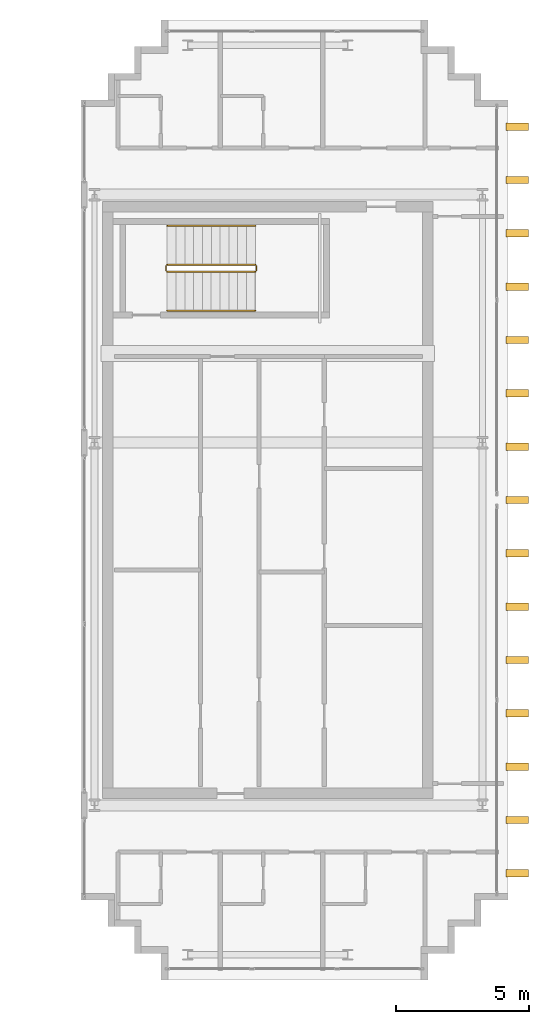
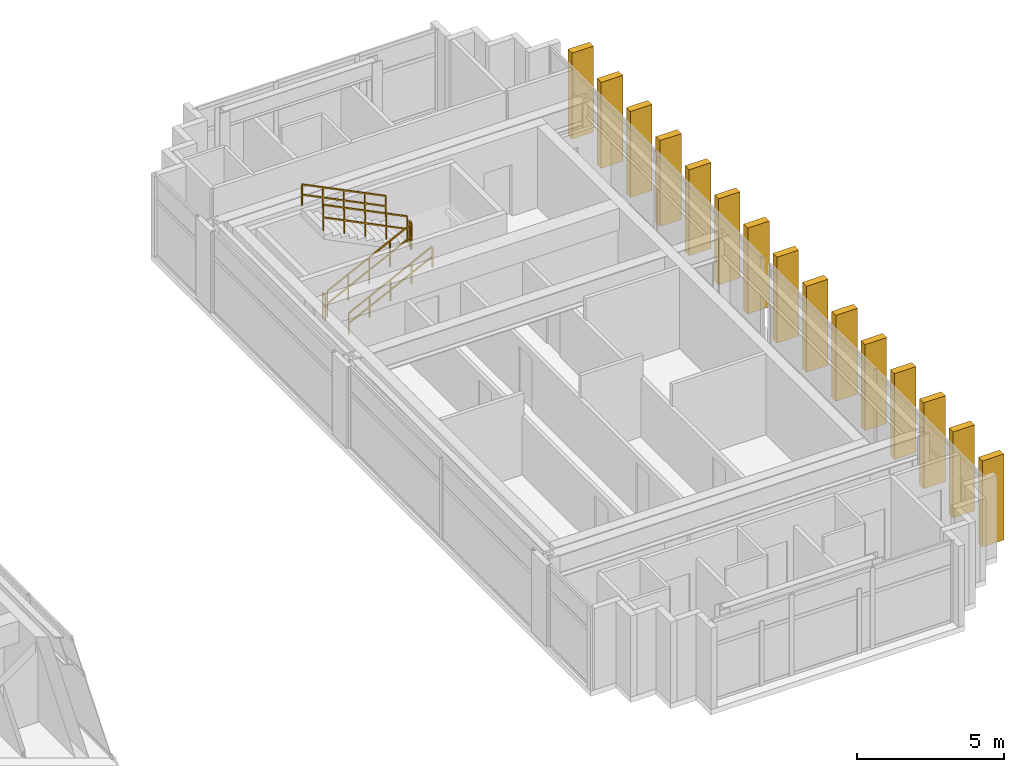
# One storey, part 25 of 25: 15 shading devices, 6 railings.
"""IFC4 building model written with IfcOpenShell, lengths in metres."""

from ifc_helpers import new_model, si_unit, direction, frame, origin, origin_2d, place, context, subcontext, project, spatial, rectangle, extrude, source, transform, mapped, material, type_object, element, save


model = new_model("IFC4")

# Units and contexts
model_context = context("Model", 3, precision=1e-05, world=origin(), true_north=direction((0.0, 1.0)))
body_context = subcontext(model_context, "Body", "Model", "MODEL_VIEW")
ifc_project = project(units=[si_unit("LENGTHUNIT", "METRE"), si_unit("AREAUNIT", "SQUARE_METRE"), si_unit("VOLUMEUNIT", "CUBIC_METRE"), si_unit("PLANEANGLEUNIT", "RADIAN"), si_unit("MASSUNIT", "GRAM", prefix="KILO")], contexts=[model_context])

# Site, building, storey
site_placement = place(None, origin())
site = spatial("IfcSite", under=ifc_project, at=site_placement, CompositionType="ELEMENT")
building_placement = place(site_placement, origin())
building = spatial("IfcBuilding", under=site, at=building_placement, Name="Ocotamira Hotel", CompositionType="ELEMENT")
storey_placement = place(building_placement, frame((0.0, 0.0, 265.199951171875)))
storey = spatial("IfcBuildingStorey", under=building, at=storey_placement, Name="L67", CompositionType="ELEMENT", Elevation=265.199951171875)

# Railings
ifc_material_1 = material(Name="Brushed stainless steel handrail", Category="steel")
railing_type_1 = type_object("IfcRailingType", Name="RL-HAND-900", PredefinedType="HANDRAIL", material=ifc_material_1)
railing_1_placement = place(storey_placement, frame((43.22998046875, 33.10009765625, 0.327392578125)))
element("IfcRailing", 1, at=railing_1_placement, inside=storey, type_object=railing_type_1, Name="L67 ST-4 stair handrail 1", PredefinedType="HANDRAIL", context=body_context, shape_type="SweptSolid", body=[
    extrude(rectangle(XDim=0.048095703125, YDim=0.048095703125, at=origin_2d()), frame((0.0, 0.0, 0.8759765625), z_axis=(0.895920123917, 0.0, 0.444215186098), x_axis=(0.0, 1.0, 0.0)), (0.0, 0.0, 1.0), 3.683349609375),
    extrude(rectangle(XDim=0.048095703125, YDim=0.048095703125, at=origin_2d()), frame((0.0, 0.0, 0.449951171875), z_axis=(0.895920123917, 0.0, 0.444215186098), x_axis=(0.0, 1.0, 0.0)), (0.0, 0.0, 1.0), 3.683349609375),
    extrude(rectangle(XDim=0.0419921875, YDim=0.0419921875, at=origin_2d()), origin(), (0.0, 0.0, 1.0), 0.851806640625),
    extrude(rectangle(XDim=0.0419921875, YDim=0.0419921875, at=origin_2d()), frame((0.824951171875, 0.0, 0.4091796875)), (0.0, 0.0, 1.0), 0.851806640625),
    extrude(rectangle(XDim=0.0419921875, YDim=0.0419921875, at=origin_2d()), frame((1.64990234375, 0.0, 0.818115234375)), (0.0, 0.0, 1.0), 0.851806640625),
    extrude(rectangle(XDim=0.0419921875, YDim=0.0419921875, at=origin_2d()), frame((2.47509765625, 0.0, 1.22705078125)), (0.0, 0.0, 1.0), 0.851806640625),
    extrude(rectangle(XDim=0.0419921875, YDim=0.0419921875, at=origin_2d()), frame((3.300048828125, 0.0, 1.63623046875)), (0.0, 0.0, 1.0), 0.851806640625),
])
railing_2_placement = place(storey_placement, frame((46.530029296875, 36.280029296875, 2.12744140625)))
element("IfcRailing", 2, at=railing_2_placement, inside=storey, type_object=railing_type_1, Name="L67 ST-4 stair handrail 2", PredefinedType="HANDRAIL", context=body_context, shape_type="SweptSolid", body=[
    extrude(rectangle(XDim=0.048095703125, YDim=0.048095703125, at=origin_2d()), frame((0.0, 0.0, 0.8759765625), z_axis=(-0.895920123917, 0.0, 0.444215186098), x_axis=(0.0, -1.0, 0.0)), (0.0, 0.0, 1.0), 3.683349609375),
    extrude(rectangle(XDim=0.048095703125, YDim=0.048095703125, at=origin_2d()), frame((0.0, 0.0, 0.449951171875), z_axis=(-0.895920123917, 0.0, 0.444215186098), x_axis=(0.0, -1.0, 0.0)), (0.0, 0.0, 1.0), 3.683349609375),
    extrude(rectangle(XDim=0.0419921875, YDim=0.0419921875, at=origin_2d()), origin(), (0.0, 0.0, 1.0), 0.851806640625),
    extrude(rectangle(XDim=0.0419921875, YDim=0.0419921875, at=origin_2d()), frame((-0.824951171875, 0.0, 0.4091796875)), (0.0, 0.0, 1.0), 0.851806640625),
    extrude(rectangle(XDim=0.0419921875, YDim=0.0419921875, at=origin_2d()), frame((-1.64990234375, 0.0, 0.818115234375)), (0.0, 0.0, 1.0), 0.851806640625),
    extrude(rectangle(XDim=0.0419921875, YDim=0.0419921875, at=origin_2d()), frame((-2.47509765625, 0.0, 1.22705078125)), (0.0, 0.0, 1.0), 0.851806640625),
    extrude(rectangle(XDim=0.0419921875, YDim=0.0419921875, at=origin_2d()), frame((-3.300048828125, 0.0, 1.63623046875)), (0.0, 0.0, 1.0), 0.851806640625),
])
ifc_material_2 = material(Name="Painted steel stair guardrail", Category="steel")
railing_type_2 = type_object("IfcRailingType", Name="RL-STAIR-1100", PredefinedType="GUARDRAIL", material=ifc_material_2)
railing_3_placement = place(storey_placement, frame((43.22998046875, 34.56005859375, 0.16357421875)))
element("IfcRailing", 3, at=railing_3_placement, inside=storey, type_object=railing_type_2, Name="L67 ST-4 stair guard 1", PredefinedType="GUARDRAIL", context=body_context, shape_type="SweptSolid", body=[
    extrude(rectangle(XDim=0.048095703125, YDim=0.048095703125, at=origin_2d()), frame((0.0, 0.0, 1.076171875), z_axis=(0.895893744519, 0.0, 0.4442683857), x_axis=(0.0, 1.0, 0.0)), (0.0, 0.0, 1.0), 3.68359375),
    extrude(rectangle(XDim=0.048095703125, YDim=0.048095703125, at=origin_2d()), frame((0.0, 0.0, 0.550048828125), z_axis=(0.895893744519, 0.0, 0.4442683857), x_axis=(0.0, 1.0, 0.0)), (0.0, 0.0, 1.0), 3.68359375),
    extrude(rectangle(XDim=0.0419921875, YDim=0.0419921875, at=origin_2d()), origin(), (0.0, 0.0, 1.0), 1.052001953125),
    extrude(rectangle(XDim=0.0419921875, YDim=0.0419921875, at=origin_2d()), frame((0.824951171875, 0.0, 0.4091796875)), (0.0, 0.0, 1.0), 1.052001953125),
    extrude(rectangle(XDim=0.0419921875, YDim=0.0419921875, at=origin_2d()), frame((1.64990234375, 0.0, 0.818359375)), (0.0, 0.0, 1.0), 1.052001953125),
    extrude(rectangle(XDim=0.0419921875, YDim=0.0419921875, at=origin_2d()), frame((2.47509765625, 0.0, 1.227294921875)), (0.0, 0.0, 1.0), 1.052001953125),
    extrude(rectangle(XDim=0.0419921875, YDim=0.0419921875, at=origin_2d()), frame((3.300048828125, 0.0, 1.636474609375)), (0.0, 0.0, 1.0), 1.052001953125),
])
railing_4_placement = place(storey_placement, frame((46.580078125, 34.610107421875, 1.800048828125)))
element("IfcRailing", 4, at=railing_4_placement, inside=storey, type_object=railing_type_2, Name="L67 ST-4 stair guard 2", PredefinedType="GUARDRAIL", context=body_context, shape_type="SweptSolid", body=[
    extrude(rectangle(XDim=0.048095703125, YDim=0.048095703125, at=origin_2d()), frame((0.0, 0.0, 1.076171875), z_axis=(0.0, 1.0, 0.0), x_axis=(-1.0, 0.0, 0.0)), (0.0, 0.0, 1.0), 0.159912109375),
    extrude(rectangle(XDim=0.048095703125, YDim=0.048095703125, at=origin_2d()), frame((0.0, 0.0, 0.550048828125), z_axis=(0.0, 1.0, 0.0), x_axis=(-1.0, 0.0, 0.0)), (0.0, 0.0, 1.0), 0.159912109375),
    extrude(rectangle(XDim=0.0419921875, YDim=0.0419921875, at=origin_2d()), origin(), (0.0, 0.0, 1.0), 1.052001953125),
    extrude(rectangle(XDim=0.0419921875, YDim=0.0419921875, at=origin_2d()), frame((0.0, 0.159912109375, 0.0)), (0.0, 0.0, 1.0), 1.052001953125),
])
railing_5_placement = place(storey_placement, frame((46.530029296875, 34.820068359375, 1.963623046875)))
element("IfcRailing", 5, at=railing_5_placement, inside=storey, type_object=railing_type_2, Name="L67 ST-4 stair guard 3", PredefinedType="GUARDRAIL", context=body_context, shape_type="SweptSolid", body=[
    extrude(rectangle(XDim=0.048095703125, YDim=0.048095703125, at=origin_2d()), frame((0.0, 0.0, 1.076171875), z_axis=(-0.895893744519, 0.0, 0.4442683857), x_axis=(0.0, -1.0, 0.0)), (0.0, 0.0, 1.0), 3.68359375),
    extrude(rectangle(XDim=0.048095703125, YDim=0.048095703125, at=origin_2d()), frame((0.0, 0.0, 0.550048828125), z_axis=(-0.895893744519, 0.0, 0.4442683857), x_axis=(0.0, -1.0, 0.0)), (0.0, 0.0, 1.0), 3.68359375),
    extrude(rectangle(XDim=0.0419921875, YDim=0.0419921875, at=origin_2d()), origin(), (0.0, 0.0, 1.0), 1.052001953125),
    extrude(rectangle(XDim=0.0419921875, YDim=0.0419921875, at=origin_2d()), frame((-0.824951171875, 0.0, 0.4091796875)), (0.0, 0.0, 1.0), 1.052001953125),
    extrude(rectangle(XDim=0.0419921875, YDim=0.0419921875, at=origin_2d()), frame((-1.64990234375, 0.0, 0.818359375)), (0.0, 0.0, 1.0), 1.052001953125),
    extrude(rectangle(XDim=0.0419921875, YDim=0.0419921875, at=origin_2d()), frame((-2.47509765625, 0.0, 1.227294921875)), (0.0, 0.0, 1.0), 1.052001953125),
    extrude(rectangle(XDim=0.0419921875, YDim=0.0419921875, at=origin_2d()), frame((-3.300048828125, 0.0, 1.636474609375)), (0.0, 0.0, 1.0), 1.052001953125),
])
railing_6_placement = place(storey_placement, frame((43.179931640625, 34.610107421875, 0.0)))
element("IfcRailing", 6, at=railing_6_placement, inside=storey, type_object=railing_type_2, Name="L67 ST-4 stair guard 4", PredefinedType="GUARDRAIL", context=body_context, shape_type="SweptSolid", body=[
    extrude(rectangle(XDim=0.048095703125, YDim=0.048095703125, at=origin_2d()), frame((0.0, 0.0, 1.076171875), z_axis=(0.0, 1.0, 0.0), x_axis=(-1.0, 0.0, 0.0)), (0.0, 0.0, 1.0), 0.159912109375),
    extrude(rectangle(XDim=0.048095703125, YDim=0.048095703125, at=origin_2d()), frame((0.0, 0.0, 0.550048828125), z_axis=(0.0, 1.0, 0.0), x_axis=(-1.0, 0.0, 0.0)), (0.0, 0.0, 1.0), 0.159912109375),
    extrude(rectangle(XDim=0.0419921875, YDim=0.0419921875, at=origin_2d()), origin(), (0.0, 0.0, 1.0), 1.052001953125),
    extrude(rectangle(XDim=0.0419921875, YDim=0.0419921875, at=origin_2d()), frame((0.0, 0.159912109375, 0.0)), (0.0, 0.0, 1.0), 1.052001953125),
])

# Shading devices
ifc_material_3 = material(Name="Pale-metal anodised aluminium architectural fin", Category="aluminium")
shading_device_type = type_object("IfcShadingDeviceType", Name="SHD-PIER-850", PredefinedType="USERDEFINED", material=ifc_material_3)
shared_shape = source(origin(), body_context, "Body", "SweptSolid", [
    extrude(rectangle(XDim=0.85009765625, YDim=0.280029296875, at=origin_2d()), origin(), (0.0, 0.0, 1.0), 3.580078125),
])
for number, where, z_axis, x_axis, name in (
    (7, (56.35009765625, 12.0, -0.10009765625), (0.0, 0.0, 1.0), (1.0, 0.0, 0.0), "L67 Vertical Pale-Metal Pier E Y12"),
    (8, (56.35009765625, 14.0, -0.10009765625), (0.0, 0.0, 1.0), (1.0, 0.0, 0.0), "L67 Vertical Pale-Metal Pier E Y14"),
    (9, (56.35009765625, 16.0, -0.10009765625), (0.0, 0.0, 1.0), (1.0, 0.0, 0.0), "L67 Vertical Pale-Metal Pier E Y16"),
    (10, (56.35009765625, 18.0, -0.10009765625), (0.0, 0.0, 1.0), (1.0, 0.0, 0.0), "L67 Vertical Pale-Metal Pier E Y18"),
    (11, (56.35009765625, 20.0, -0.10009765625), (0.0, 0.0, 1.0), (1.0, 0.0, 0.0), "L67 Vertical Pale-Metal Pier E Y20"),
    (12, (56.35009765625, 22.0, -0.10009765625), (0.0, 0.0, 1.0), (1.0, 0.0, 0.0), "L67 Vertical Pale-Metal Pier E Y22"),
    (13, (56.35009765625, 24.0, -0.10009765625), (0.0, 0.0, 1.0), (1.0, 0.0, 0.0), "L67 Vertical Pale-Metal Pier E Y24"),
    (14, (56.35009765625, 26.0, -0.10009765625), (0.0, 0.0, 1.0), (1.0, 0.0, 0.0), "L67 Vertical Pale-Metal Pier E Y26"),
    (15, (56.35009765625, 28.0, -0.10009765625), (0.0, 0.0, 1.0), (1.0, 0.0, 0.0), "L67 Vertical Pale-Metal Pier E Y28"),
    (16, (56.35009765625, 30.0, -0.10009765625), (0.0, 0.0, 1.0), (1.0, 0.0, 0.0), "L67 Vertical Pale-Metal Pier E Y30"),
    (17, (56.35009765625, 32.0, -0.10009765625), (0.0, 0.0, 1.0), (1.0, 0.0, 0.0), "L67 Vertical Pale-Metal Pier E Y32"),
    (18, (56.35009765625, 34.0, -0.10009765625), (0.0, 0.0, 1.0), (1.0, 0.0, 0.0), "L67 Vertical Pale-Metal Pier E Y34"),
    (19, (56.35009765625, 36.0, -0.10009765625), (0.0, 0.0, 1.0), (1.0, 0.0, 0.0), "L67 Vertical Pale-Metal Pier E Y36"),
    (20, (56.35009765625, 38.0, -0.10009765625), (0.0, 0.0, 1.0), (1.0, 0.0, 0.0), "L67 Vertical Pale-Metal Pier E Y38"),
    (21, (56.35009765625, 40.0, -0.10009765625), (0.0, 0.0, 1.0), (1.0, 0.0, 0.0), "L67 Vertical Pale-Metal Pier E Y40"),
):
    element("IfcShadingDevice", number, at=place(storey_placement, frame(where, z_axis=z_axis, x_axis=x_axis)), inside=storey, type_object=shading_device_type, Name=name, ObjectType="FIN", PredefinedType="USERDEFINED", context=body_context, shape_type="MappedRepresentation", body=[
        mapped(shared_shape, transform((0.0, 0.0, 0.0), scale=1.0)),
    ])

save(model, "model.ifc")
